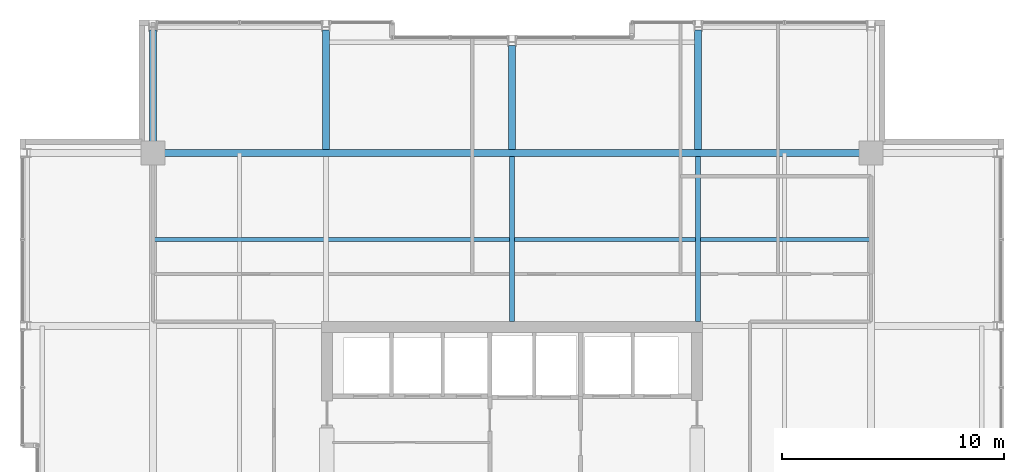
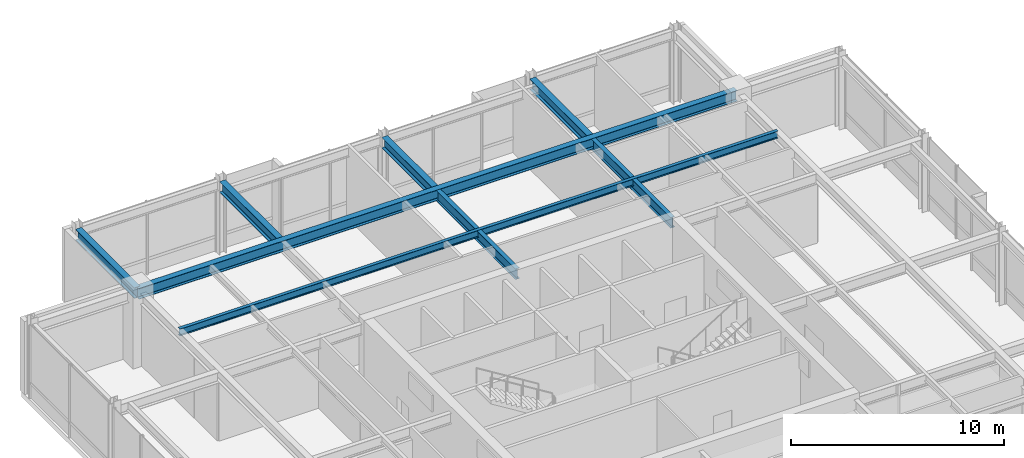
# One storey, part 20 of 32: 8 beams.
"""IFC4 building model written with IfcOpenShell, lengths in metres."""

from ifc_helpers import new_model, si_unit, direction, frame, origin, origin_2d, place, context, subcontext, project, spatial, i_section, extrude, material, material_profile, profile_set, type_object, element, save


model = new_model("IFC4")

# Units and contexts
model_context = context("Model", 3, precision=1e-05, world=origin(), true_north=direction((0.0, 1.0)))
body_context = subcontext(model_context, "Body", "Model", "MODEL_VIEW")
ifc_project = project(units=[si_unit("LENGTHUNIT", "METRE"), si_unit("AREAUNIT", "SQUARE_METRE"), si_unit("VOLUMEUNIT", "CUBIC_METRE"), si_unit("PLANEANGLEUNIT", "RADIAN"), si_unit("MASSUNIT", "GRAM", prefix="KILO")], contexts=[model_context])

# Site, building, storey
site_placement = place(None, origin())
site = spatial("IfcSite", under=ifc_project, at=site_placement, CompositionType="ELEMENT")
building_placement = place(site_placement, origin())
building = spatial("IfcBuilding", under=site, at=building_placement, Name="Drelvath Grand Hotel", CompositionType="ELEMENT")
storey_placement = place(building_placement, frame((0.0, 0.0, 255.5)))
storey = spatial("IfcBuildingStorey", under=building, at=storey_placement, Name="L67", CompositionType="ELEMENT", Elevation=255.5)

# Beams
ifc_material = material(Name="Steel ASTM A992 Gr 50", Category="steel")
ifc_material_profile_1 = material_profile(ifc_material, i_section(OverallWidth=0.177734375, OverallDepth=0.40673828125, WebThickness=0.0078125, FlangeThickness=0.0126953125, FilletRadius=0.014892578125, at=origin_2d()), Name="W16X40")
ifc_profile_set_1 = profile_set([ifc_material_profile_1], Name="Steel ASTM A992 Gr 50")
beam_type_1 = type_object("IfcBeamType", Name="Composite Floor Joist W16X40", PredefinedType="JOIST", material=ifc_profile_set_1)
beam_1_placement = place(storey_placement, frame((-16.199951171875, 39.300048828125, 3.976806640625), z_axis=(1.0, 0.0, 0.0), x_axis=(0.0, 1.0, 0.0)))
element("IfcBeam", 1, at=beam_1_placement, inside=storey, type_object=beam_type_1, Name="L67 Floor Joist J2", PredefinedType="JOIST", context=body_context, shape_type="SweptSolid", body=[
    extrude(i_section(OverallWidth=0.177734375, OverallDepth=0.40673828125, WebThickness=0.0078125, FlangeThickness=0.0126953125, FilletRadius=0.014892578125, at=origin_2d()), origin(), (0.0, 0.0, 1.0), 32.39990234375),
])
ifc_material_profile_2 = material_profile(ifc_material, i_section(OverallWidth=0.323974609375, OverallDepth=0.611083984375, WebThickness=0.0126953125, FlangeThickness=0.01904296875, FilletRadius=0.02197265625, at=origin_2d()), Name="W24X104")
ifc_profile_set_2 = profile_set([ifc_material_profile_2], Name="Steel ASTM A992 Gr 50")
beam_type_2 = type_object("IfcBeamType", Name="Primary Floor Girder W24X104", PredefinedType="BEAM", material=ifc_profile_set_2)
beam_2_placement = place(storey_placement, frame((-16.199951171875, 43.199951171875, 3.87451171875), z_axis=(1.0, 0.0, 0.0), x_axis=(0.0, 1.0, 0.0)))
element("IfcBeam", 2, at=beam_2_placement, inside=storey, type_object=beam_type_2, Name="L67 Mega Ring Girder North", PredefinedType="BEAM", context=body_context, shape_type="SweptSolid", body=[
    extrude(i_section(OverallWidth=0.323974609375, OverallDepth=0.611083984375, WebThickness=0.0126953125, FlangeThickness=0.01904296875, FilletRadius=0.02197265625, at=origin_2d()), origin(), (0.0, 0.0, 1.0), 32.39990234375),
])
beam_3_placement = place(storey_placement, frame((-16.199951171875, 43.199951171875, 3.87451171875), z_axis=(0.0, 1.0, 0.0), x_axis=(-1.0, 0.0, 0.0)))
element("IfcBeam", 3, at=beam_3_placement, inside=storey, type_object=beam_type_2, Name="L67 North Grid Girder 3", PredefinedType="BEAM", context=body_context, shape_type="SweptSolid", body=[
    extrude(i_section(OverallWidth=0.323974609375, OverallDepth=0.611083984375, WebThickness=0.0126953125, FlangeThickness=0.01904296875, FilletRadius=0.02197265625, at=origin_2d()), origin(), (0.0, 0.0, 1.0), 5.5400390625),
])
beam_4_placement = place(storey_placement, frame((-8.39990234375, 43.362060546875, 3.87451171875), z_axis=(0.0, 1.0, 0.0), x_axis=(-1.0, 0.0, 0.0)))
element("IfcBeam", 4, at=beam_4_placement, inside=storey, type_object=beam_type_2, Name="L67 North Wing Girder 4", PredefinedType="BEAM", context=body_context, shape_type="SweptSolid", body=[
    extrude(i_section(OverallWidth=0.323974609375, OverallDepth=0.611083984375, WebThickness=0.0126953125, FlangeThickness=0.01904296875, FilletRadius=0.02197265625, at=origin_2d()), origin(), (0.0, 0.0, 1.0), 5.3779296875),
])
beam_5_placement = place(storey_placement, frame((0.0, 43.362060546875, 3.87451171875), z_axis=(0.0, 1.0, 0.0), x_axis=(-1.0, 0.0, 0.0)))
element("IfcBeam", 5, at=beam_5_placement, inside=storey, type_object=beam_type_2, Name="L67 North Wing Girder 5", PredefinedType="BEAM", context=body_context, shape_type="SweptSolid", body=[
    extrude(i_section(OverallWidth=0.323974609375, OverallDepth=0.611083984375, WebThickness=0.0126953125, FlangeThickness=0.01904296875, FilletRadius=0.02197265625, at=origin_2d()), origin(), (0.0, 0.0, 1.0), 4.697998046875),
])
beam_6_placement = place(storey_placement, frame((8.39990234375, 43.362060546875, 3.87451171875), z_axis=(0.0, 1.0, 0.0), x_axis=(-1.0, 0.0, 0.0)))
element("IfcBeam", 6, at=beam_6_placement, inside=storey, type_object=beam_type_2, Name="L67 North Wing Girder 6", PredefinedType="BEAM", context=body_context, shape_type="SweptSolid", body=[
    extrude(i_section(OverallWidth=0.323974609375, OverallDepth=0.611083984375, WebThickness=0.0126953125, FlangeThickness=0.01904296875, FilletRadius=0.02197265625, at=origin_2d()), origin(), (0.0, 0.0, 1.0), 5.3779296875),
])
ifc_material_profile_3 = material_profile(ifc_material, i_section(OverallWidth=0.228271484375, OverallDepth=0.607666015625, WebThickness=0.01123046875, FlangeThickness=0.017333984375, FilletRadius=0.02001953125, at=origin_2d()), Name="W24X76")
ifc_profile_set_3 = profile_set([ifc_material_profile_3], Name="Steel ASTM A992 Gr 50")
beam_type_3 = type_object("IfcBeamType", Name="Primary Floor Girder W24X76", PredefinedType="BEAM", material=ifc_profile_set_3)
for number, where, z_axis, x_axis, name in (
    (7, (0.0, 35.60009765625, 3.876220703125), (0.0, 1.0, 0.0), (-1.0, 0.0, 0.0), "L67 North Core Tie 5"),
    (8, (8.39990234375, 35.60009765625, 3.876220703125), (0.0, 1.0, 0.0), (-1.0, 0.0, 0.0), "L67 North Core Tie 6"),
):
    element("IfcBeam", number, at=place(storey_placement, frame(where, z_axis=z_axis, x_axis=x_axis)), inside=storey, type_object=beam_type_3, Name=name, PredefinedType="BEAM", context=body_context, shape_type="SweptSolid", body=[
        extrude(i_section(OverallWidth=0.228271484375, OverallDepth=0.607666015625, WebThickness=0.01123046875, FlangeThickness=0.017333984375, FilletRadius=0.02001953125, at=origin_2d()), origin(), (0.0, 0.0, 1.0), 7.43798828125),
    ])

save(model, "model.ifc")
